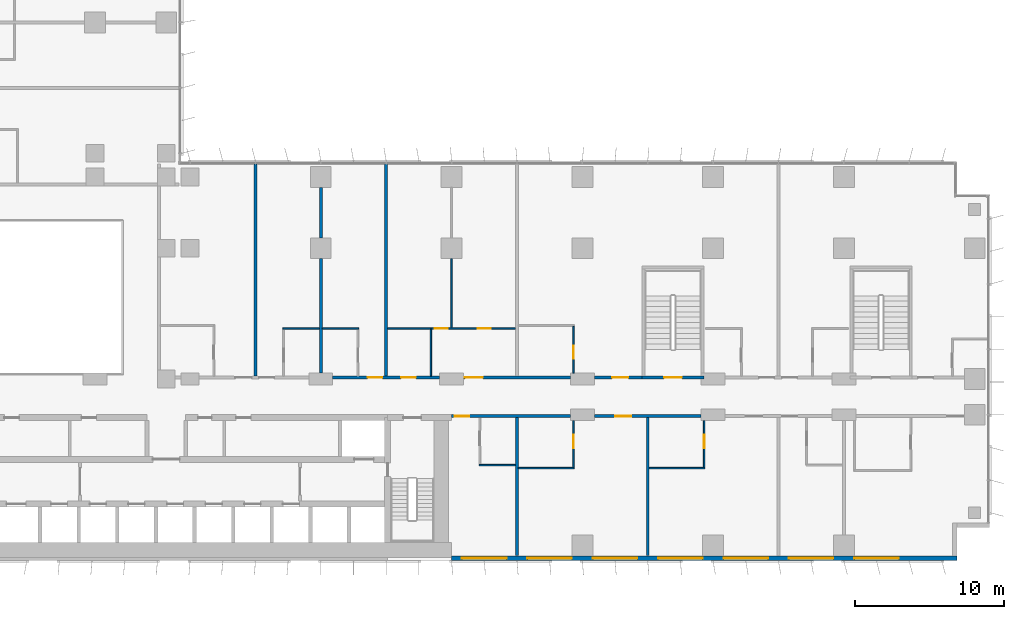
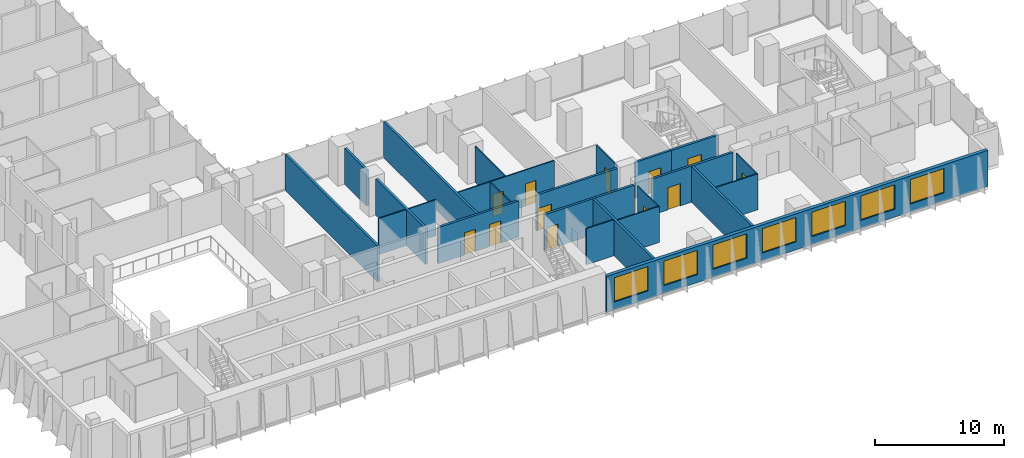
# One storey, part 14 of 24: 24 walls, 12 doors, 7 windows, 19 openings.
"""IFC4 building model written with IfcOpenShell, lengths in metres."""

from ifc_helpers import new_model, si_unit, direction, frame, frame_2d, origin, place, context, subcontext, project, spatial, rectangle, extrude, material, layer, layer_set, type_object, element, fill, save


model = new_model("IFC4")

# Units and contexts
model_context = context("Model", 3, precision=1e-05, world=origin(), true_north=direction((0.0, 1.0)))
body_context = subcontext(model_context, "Body", "Model", "MODEL_VIEW")
ifc_project = project(units=[si_unit("LENGTHUNIT", "METRE"), si_unit("AREAUNIT", "SQUARE_METRE"), si_unit("VOLUMEUNIT", "CUBIC_METRE"), si_unit("PLANEANGLEUNIT", "RADIAN"), si_unit("MASSUNIT", "GRAM", prefix="KILO")], contexts=[model_context])

# Site, building, storey
site_placement = place(None, origin())
site = spatial("IfcSite", under=ifc_project, at=site_placement, CompositionType="ELEMENT")
building_placement = place(site_placement, origin())
building = spatial("IfcBuilding", under=site, at=building_placement, Name="Kemantara Hotel Tower", CompositionType="ELEMENT")
storey_placement = place(building_placement, frame((0.0, 0.0, 59.89990234375)))
storey = spatial("IfcBuildingStorey", under=building, at=storey_placement, Name="L13", CompositionType="ELEMENT", Elevation=59.89990234375)

# Wall, openings, windows
ifc_material_1 = material(Name="Bronze anodised aluminium cladding on insulated steel stud wall", Category="steel")
ifc_layer_1 = layer(ifc_material_1, 0.300048828125)
ifc_layer_set_1 = layer_set([ifc_layer_1], Name="Bronze anodised aluminium cladding on insulated steel stud wall")
wall_type_1 = type_object("IfcWallType", Name="BRONZE METAL-CLAD EXTERNAL WALL 300", PredefinedType="STANDARD", material=ifc_layer_set_1)
wall_1_placement = place(storey_placement, frame((45.0, 0.14990234375, 0.0), z_axis=(0.0, 0.0, 1.0), x_axis=(1.0, 0.0, 0.0)))
wall_1 = element("IfcWall", 1, at=wall_1_placement, inside=storey, type_object=wall_type_1, Name="EXTERNAL WALL L13 T1-R01-3", PredefinedType="STANDARD", context=body_context, shape_type="SweptSolid", body=[
    extrude(rectangle(XDim=34.0, YDim=0.300048828125, at=frame_2d((17.0, 0.0))), origin(), (0.0, 0.0, 1.0), 3.400146484375),
])
opening_1_placement = place(wall_1_placement, frame((0.699951171875, 0.0, 0.75)))
opening_1 = element("IfcOpeningElement", 2, at=opening_1_placement, cuts=wall_1, Name="Opening W1", PredefinedType="OPENING", context=body_context, shape_type="SweptSolid", body=[
    extrude(rectangle(XDim=3.0, YDim=2.300048828125, at=frame_2d((1.5, 1.14990234375))), frame((0.0, 0.159912109375, 0.0), z_axis=(0.0, -1.0, 0.0), x_axis=(1.0, 0.0, 0.0)), (0.0, 0.0, 1.0), 0.320068359375),
])
opening_2_placement = place(wall_1_placement, frame((5.10009765625, 0.0, 0.75)))
opening_2 = element("IfcOpeningElement", 3, at=opening_2_placement, cuts=wall_1, Name="Opening W1", PredefinedType="OPENING", context=body_context, shape_type="SweptSolid", body=[
    extrude(rectangle(XDim=3.0, YDim=2.300048828125, at=frame_2d((1.5, 1.14990234375))), frame((0.0, 0.159912109375, 0.0), z_axis=(0.0, -1.0, 0.0), x_axis=(1.0, 0.0, 0.0)), (0.0, 0.0, 1.0), 0.320068359375),
])
opening_3_placement = place(wall_1_placement, frame((9.5, 0.0, 0.75)))
opening_3 = element("IfcOpeningElement", 4, at=opening_3_placement, cuts=wall_1, Name="Opening W1", PredefinedType="OPENING", context=body_context, shape_type="SweptSolid", body=[
    extrude(rectangle(XDim=3.0, YDim=2.300048828125, at=frame_2d((1.5, 1.14990234375))), frame((0.0, 0.159912109375, 0.0), z_axis=(0.0, -1.0, 0.0), x_axis=(1.0, 0.0, 0.0)), (0.0, 0.0, 1.0), 0.320068359375),
])
opening_4_placement = place(wall_1_placement, frame((13.89990234375, 0.0, 0.75)))
opening_4 = element("IfcOpeningElement", 5, at=opening_4_placement, cuts=wall_1, Name="Opening W1", PredefinedType="OPENING", context=body_context, shape_type="SweptSolid", body=[
    extrude(rectangle(XDim=3.0, YDim=2.300048828125, at=frame_2d((1.5, 1.14990234375))), frame((0.0, 0.159912109375, 0.0), z_axis=(0.0, -1.0, 0.0), x_axis=(1.0, 0.0, 0.0)), (0.0, 0.0, 1.0), 0.320068359375),
])
opening_5_placement = place(wall_1_placement, frame((18.300048828125, 0.0, 0.75)))
opening_5 = element("IfcOpeningElement", 6, at=opening_5_placement, cuts=wall_1, Name="Opening W1", PredefinedType="OPENING", context=body_context, shape_type="SweptSolid", body=[
    extrude(rectangle(XDim=3.0, YDim=2.300048828125, at=frame_2d((1.5, 1.14990234375))), frame((0.0, 0.159912109375, 0.0), z_axis=(0.0, -1.0, 0.0), x_axis=(1.0, 0.0, 0.0)), (0.0, 0.0, 1.0), 0.320068359375),
])
opening_6_placement = place(wall_1_placement, frame((22.699951171875, 0.0, 0.75)))
opening_6 = element("IfcOpeningElement", 7, at=opening_6_placement, cuts=wall_1, Name="Opening W1", PredefinedType="OPENING", context=body_context, shape_type="SweptSolid", body=[
    extrude(rectangle(XDim=3.0, YDim=2.300048828125, at=frame_2d((1.5, 1.14990234375))), frame((0.0, 0.159912109375, 0.0), z_axis=(0.0, -1.0, 0.0), x_axis=(1.0, 0.0, 0.0)), (0.0, 0.0, 1.0), 0.320068359375),
])
opening_7_placement = place(wall_1_placement, frame((27.10009765625, 0.0, 0.75)))
opening_7 = element("IfcOpeningElement", 8, at=opening_7_placement, cuts=wall_1, Name="Opening W1", PredefinedType="OPENING", context=body_context, shape_type="SweptSolid", body=[
    extrude(rectangle(XDim=3.0, YDim=2.300048828125, at=frame_2d((1.5, 1.14990234375))), frame((0.0, 0.159912109375, 0.0), z_axis=(0.0, -1.0, 0.0), x_axis=(1.0, 0.0, 0.0)), (0.0, 0.0, 1.0), 0.320068359375),
])
ifc_material_2 = material(Name="Low-E tinted double insulated glass in bronze anodised aluminium frame", Category="aluminium")
window_type = type_object("IfcWindowType", Name="CHICAGO WINDOW, TRIPLE PANEL 3000x2300", PartitioningType="TRIPLE_PANEL_VERTICAL", PredefinedType="WINDOW", material=ifc_material_2)
window_1_placement = place(opening_1_placement, origin())
window_1 = element("IfcWindow", 9, at=window_1_placement, inside=storey, type_object=window_type, Name="CHICAGO WINDOW L13 T1-R01-450", OverallHeight=2.300048828125, OverallWidth=3.0, PartitioningType="SINGLE_PANEL", PredefinedType="WINDOW", context=body_context, shape_type="SweptSolid", body=[
    extrude(rectangle(XDim=3.0, YDim=2.300048828125, at=frame_2d((1.5, 1.14990234375))), frame((0.0, 0.030029296875, 0.0), z_axis=(0.0, -1.0, 0.0), x_axis=(1.0, 0.0, 0.0)), (0.0, 0.0, 1.0), 0.06005859375),
])
fill(opening_1, window_1)
window_2_placement = place(opening_2_placement, origin())
window_2 = element("IfcWindow", 10, at=window_2_placement, inside=storey, type_object=window_type, Name="CHICAGO WINDOW L13 T1-R01-494", OverallHeight=2.300048828125, OverallWidth=3.0, PartitioningType="SINGLE_PANEL", PredefinedType="WINDOW", context=body_context, shape_type="SweptSolid", body=[
    extrude(rectangle(XDim=3.0, YDim=2.300048828125, at=frame_2d((1.5, 1.14990234375))), frame((0.0, 0.030029296875, 0.0), z_axis=(0.0, -1.0, 0.0), x_axis=(1.0, 0.0, 0.0)), (0.0, 0.0, 1.0), 0.06005859375),
])
fill(opening_2, window_2)
window_3_placement = place(opening_3_placement, origin())
window_3 = element("IfcWindow", 11, at=window_3_placement, inside=storey, type_object=window_type, Name="CHICAGO WINDOW L13 T1-R01-538", OverallHeight=2.300048828125, OverallWidth=3.0, PartitioningType="SINGLE_PANEL", PredefinedType="WINDOW", context=body_context, shape_type="SweptSolid", body=[
    extrude(rectangle(XDim=3.0, YDim=2.300048828125, at=frame_2d((1.5, 1.14990234375))), frame((0.0, 0.030029296875, 0.0), z_axis=(0.0, -1.0, 0.0), x_axis=(1.0, 0.0, 0.0)), (0.0, 0.0, 1.0), 0.06005859375),
])
fill(opening_3, window_3)
window_4_placement = place(opening_4_placement, origin())
window_4 = element("IfcWindow", 12, at=window_4_placement, inside=storey, type_object=window_type, Name="CHICAGO WINDOW L13 T1-R01-582", OverallHeight=2.300048828125, OverallWidth=3.0, PartitioningType="SINGLE_PANEL", PredefinedType="WINDOW", context=body_context, shape_type="SweptSolid", body=[
    extrude(rectangle(XDim=3.0, YDim=2.300048828125, at=frame_2d((1.5, 1.14990234375))), frame((0.0, 0.030029296875, 0.0), z_axis=(0.0, -1.0, 0.0), x_axis=(1.0, 0.0, 0.0)), (0.0, 0.0, 1.0), 0.06005859375),
])
fill(opening_4, window_4)
window_5_placement = place(opening_5_placement, origin())
window_5 = element("IfcWindow", 13, at=window_5_placement, inside=storey, type_object=window_type, Name="CHICAGO WINDOW L13 T1-R01-626", OverallHeight=2.300048828125, OverallWidth=3.0, PartitioningType="SINGLE_PANEL", PredefinedType="WINDOW", context=body_context, shape_type="SweptSolid", body=[
    extrude(rectangle(XDim=3.0, YDim=2.300048828125, at=frame_2d((1.5, 1.14990234375))), frame((0.0, 0.030029296875, 0.0), z_axis=(0.0, -1.0, 0.0), x_axis=(1.0, 0.0, 0.0)), (0.0, 0.0, 1.0), 0.06005859375),
])
fill(opening_5, window_5)
window_6_placement = place(opening_6_placement, origin())
window_6 = element("IfcWindow", 14, at=window_6_placement, inside=storey, type_object=window_type, Name="CHICAGO WINDOW L13 T1-R01-670", OverallHeight=2.300048828125, OverallWidth=3.0, PartitioningType="SINGLE_PANEL", PredefinedType="WINDOW", context=body_context, shape_type="SweptSolid", body=[
    extrude(rectangle(XDim=3.0, YDim=2.300048828125, at=frame_2d((1.5, 1.14990234375))), frame((0.0, 0.030029296875, 0.0), z_axis=(0.0, -1.0, 0.0), x_axis=(1.0, 0.0, 0.0)), (0.0, 0.0, 1.0), 0.06005859375),
])
fill(opening_6, window_6)
window_7_placement = place(opening_7_placement, origin())
window_7 = element("IfcWindow", 15, at=window_7_placement, inside=storey, type_object=window_type, Name="CHICAGO WINDOW L13 T1-R01-714", OverallHeight=2.300048828125, OverallWidth=3.0, PartitioningType="SINGLE_PANEL", PredefinedType="WINDOW", context=body_context, shape_type="SweptSolid", body=[
    extrude(rectangle(XDim=3.0, YDim=2.300048828125, at=frame_2d((1.5, 1.14990234375))), frame((0.0, 0.030029296875, 0.0), z_axis=(0.0, -1.0, 0.0), x_axis=(1.0, 0.0, 0.0)), (0.0, 0.0, 1.0), 0.06005859375),
])
fill(opening_7, window_7)

# Wall, opening, door
ifc_material_3 = material(Name="Gypsum board partition, steel studs and mineral wool, 200 mm", Category="steel")
ifc_layer_2 = layer(ifc_material_3, 0.199951171875)
ifc_layer_set_2 = layer_set([ifc_layer_2], Name="Gypsum board partition, steel studs and mineral wool, 200 mm")
wall_type_2 = type_object("IfcWallType", Name="CORRIDOR WALL 200", PredefinedType="PARTITIONING", material=ifc_layer_set_2)
wall_2_placement = place(storey_placement, frame((53.0, 9.699951171875, 0.0), z_axis=(0.0, 0.0, 1.0), x_axis=(-1.0, 0.0, 0.0)))
wall_2 = element("IfcWall", 16, at=wall_2_placement, inside=storey, type_object=wall_type_2, Name="CORRIDOR WALL 200 001", PredefinedType="PARTITIONING", context=body_context, shape_type="SweptSolid", body=[
    extrude(rectangle(XDim=8.0, YDim=0.199951171875, at=frame_2d((4.0, 0.0))), origin(), (0.0, 0.0, 1.0), 3.400146484375),
])
opening_8_placement = place(wall_2_placement, frame((6.7998046875, 0.0, 0.0)))
opening_8 = element("IfcOpeningElement", 17, at=opening_8_placement, cuts=wall_2, Name="Opening F04-001", PredefinedType="OPENING", context=body_context, shape_type="SweptSolid", body=[
    extrude(rectangle(XDim=1.0, YDim=2.10009765625, at=frame_2d((0.5, 1.050048828125))), frame((0.0, 0.10986328125, 0.0), z_axis=(0.0, -1.0, 0.0), x_axis=(1.0, 0.0, 0.0)), (0.0, 0.0, 1.0), 0.219970703125),
])
ifc_material_4 = material(Name="Hardwood veneer door leaf with steel frame", Category="steel")
door_type_1 = type_object("IfcDoorType", Name="GUEST ROOM DOOR 1000 X 2100 FD30S", OperationType="NOTDEFINED", PredefinedType="DOOR", material=ifc_material_4)
door_1_placement = place(opening_8_placement, origin())
door_1 = element("IfcDoor", 18, at=door_1_placement, inside=storey, type_object=door_type_1, Name="GUEST ROOM DOOR F04-001", OperationType="SINGLE_SWING_RIGHT", OverallHeight=2.10009765625, OverallWidth=1.0, PredefinedType="DOOR", context=body_context, shape_type="SweptSolid", body=[
    extrude(rectangle(XDim=1.0, YDim=2.10009765625, at=frame_2d((0.5, 1.050048828125))), frame((0.0, 0.02490234375, 0.0), z_axis=(0.0, -1.0, 0.0), x_axis=(1.0, 0.0, 0.0)), (0.0, 0.0, 1.0), 0.050048828125),
])
fill(opening_8, door_1)

wall_3_placement = place(storey_placement, frame((61.7998046875, 9.699951171875, 0.0), z_axis=(0.0, 0.0, 1.0), x_axis=(-1.0, 0.0, 0.0)))
wall_3 = element("IfcWall", 19, at=wall_3_placement, inside=storey, type_object=wall_type_2, Name="CORRIDOR WALL 200 002", PredefinedType="PARTITIONING", context=body_context, shape_type="SweptSolid", body=[
    extrude(rectangle(XDim=7.19970703125, YDim=0.199951171875, at=frame_2d((3.599853515625, 0.0))), origin(), (0.0, 0.0, 1.0), 3.400146484375),
])
opening_9_placement = place(wall_3_placement, frame((4.699951171875, 0.0, 0.0)))
opening_9 = element("IfcOpeningElement", 20, at=opening_9_placement, cuts=wall_3, Name="Opening F04-003", PredefinedType="OPENING", context=body_context, shape_type="SweptSolid", body=[
    extrude(rectangle(XDim=1.10009765625, YDim=2.10009765625, at=frame_2d((0.550048828125, 1.050048828125))), frame((0.0, 0.10986328125, 0.0), z_axis=(0.0, -1.0, 0.0), x_axis=(1.0, 0.0, 0.0)), (0.0, 0.0, 1.0), 0.219970703125),
])
door_type_2 = type_object("IfcDoorType", Name="SUITE ENTRANCE DOOR 1100 X 2100 FD30S", OperationType="NOTDEFINED", PredefinedType="DOOR", material=ifc_material_4)
door_2_placement = place(opening_9_placement, origin())
door_2 = element("IfcDoor", 21, at=door_2_placement, inside=storey, type_object=door_type_2, Name="SUITE ENTRANCE DOOR F04-003", OperationType="SINGLE_SWING_LEFT", OverallHeight=2.10009765625, OverallWidth=1.10009765625, PredefinedType="DOOR", context=body_context, shape_type="SweptSolid", body=[
    extrude(rectangle(XDim=1.10009765625, YDim=2.10009765625, at=frame_2d((0.550048828125, 1.050048828125))), frame((0.0, 0.02490234375, 0.0), z_axis=(0.0, -1.0, 0.0), x_axis=(1.0, 0.0, 0.0)), (0.0, 0.0, 1.0), 0.050048828125),
])
fill(opening_9, door_2)

# Wall, openings, doors
wall_4_placement = place(storey_placement, frame((37.0, 12.300048828125, 0.0), z_axis=(0.0, 0.0, 1.0), x_axis=(1.0, 0.0, 0.0)))
wall_4 = element("IfcWall", 22, at=wall_4_placement, inside=storey, type_object=wall_type_2, Name="CORRIDOR WALL 200 013", PredefinedType="PARTITIONING", context=body_context, shape_type="SweptSolid", body=[
    extrude(rectangle(XDim=7.199951171875, YDim=0.199951171875, at=frame_2d((3.60009765625, 0.0))), origin(), (0.0, 0.0, 1.0), 3.400146484375),
])
opening_10_placement = place(wall_4_placement, frame((2.349853515625, 0.0, 0.0)))
opening_10 = element("IfcOpeningElement", 23, at=opening_10_placement, cuts=wall_4, Name="Opening F04-015", PredefinedType="OPENING", context=body_context, shape_type="SweptSolid", body=[
    extrude(rectangle(XDim=1.0, YDim=2.10009765625, at=frame_2d((0.5, 1.050048828125))), frame((0.0, 0.10986328125, 0.0), z_axis=(0.0, -1.0, 0.0), x_axis=(1.0, 0.0, 0.0)), (0.0, 0.0, 1.0), 0.219970703125),
])
opening_11_placement = place(wall_4_placement, frame((4.599853515625, 0.0, 0.0)))
opening_11 = element("IfcOpeningElement", 24, at=opening_11_placement, cuts=wall_4, Name="Opening F04-017", PredefinedType="OPENING", context=body_context, shape_type="SweptSolid", body=[
    extrude(rectangle(XDim=1.0, YDim=2.10009765625, at=frame_2d((0.5, 1.050048828125))), frame((0.0, 0.10986328125, 0.0), z_axis=(0.0, -1.0, 0.0), x_axis=(1.0, 0.0, 0.0)), (0.0, 0.0, 1.0), 0.219970703125),
])
door_3_placement = place(opening_10_placement, origin())
door_3 = element("IfcDoor", 25, at=door_3_placement, inside=storey, type_object=door_type_1, Name="GUEST ROOM DOOR F04-015", OperationType="SINGLE_SWING_RIGHT", OverallHeight=2.10009765625, OverallWidth=1.0, PredefinedType="DOOR", context=body_context, shape_type="SweptSolid", body=[
    extrude(rectangle(XDim=1.0, YDim=2.10009765625, at=frame_2d((0.5, 1.050048828125))), frame((0.0, 0.02490234375, 0.0), z_axis=(0.0, -1.0, 0.0), x_axis=(1.0, 0.0, 0.0)), (0.0, 0.0, 1.0), 0.050048828125),
])
fill(opening_10, door_3)
ifc_material_5 = material(Name="Steel door leaf with steel frame", Category="steel")
door_type_3 = type_object("IfcDoorType", Name="SERVICE ROOM DOOR 1000 X 2100 FD60", OperationType="NOTDEFINED", PredefinedType="DOOR", material=ifc_material_5)
door_4_placement = place(opening_11_placement, origin())
door_4 = element("IfcDoor", 26, at=door_4_placement, inside=storey, type_object=door_type_3, Name="SERVICE ROOM DOOR F04-017", OperationType="SINGLE_SWING_LEFT", OverallHeight=2.10009765625, OverallWidth=1.0, PredefinedType="DOOR", context=body_context, shape_type="SweptSolid", body=[
    extrude(rectangle(XDim=1.0, YDim=2.10009765625, at=frame_2d((0.5, 1.050048828125))), frame((0.0, 0.02490234375, 0.0), z_axis=(0.0, -1.0, 0.0), x_axis=(1.0, 0.0, 0.0)), (0.0, 0.0, 1.0), 0.050048828125),
])
fill(opening_11, door_4)

# Wall, opening, door
wall_5_placement = place(storey_placement, frame((45.800048828125, 12.300048828125, 0.0), z_axis=(0.0, 0.0, 1.0), x_axis=(1.0, 0.0, 0.0)))
wall_5 = element("IfcWall", 27, at=wall_5_placement, inside=storey, type_object=wall_type_2, Name="CORRIDOR WALL 200 014", PredefinedType="PARTITIONING", context=body_context, shape_type="SweptSolid", body=[
    extrude(rectangle(XDim=7.199951171875, YDim=0.199951171875, at=frame_2d((3.60009765625, 0.0))), origin(), (0.0, 0.0, 1.0), 3.400146484375),
])
opening_12_placement = place(wall_5_placement, frame((0.099853515625, 0.0, 0.0)))
opening_12 = element("IfcOpeningElement", 28, at=opening_12_placement, cuts=wall_5, Name="Opening F04-018", PredefinedType="OPENING", context=body_context, shape_type="SweptSolid", body=[
    extrude(rectangle(XDim=1.199951171875, YDim=2.10009765625, at=frame_2d((0.60009765625, 1.050048828125))), frame((0.0, 0.10986328125, 0.0), z_axis=(0.0, -1.0, 0.0), x_axis=(1.0, 0.0, 0.0)), (0.0, 0.0, 1.0), 0.219970703125),
])
door_type_4 = type_object("IfcDoorType", Name="GUEST ROOM DOOR 1200 X 2100 FD30S", OperationType="NOTDEFINED", PredefinedType="DOOR", material=ifc_material_4)
door_5_placement = place(opening_12_placement, origin())
door_5 = element("IfcDoor", 29, at=door_5_placement, inside=storey, type_object=door_type_4, Name="GUEST ROOM DOOR F04-018", OperationType="SINGLE_SWING_RIGHT", OverallHeight=2.10009765625, OverallWidth=1.199951171875, PredefinedType="DOOR", context=body_context, shape_type="SweptSolid", body=[
    extrude(rectangle(XDim=1.199951171875, YDim=2.10009765625, at=frame_2d((0.60009765625, 1.050048828125))), frame((0.0, 0.02490234375, 0.0), z_axis=(0.0, -1.0, 0.0), x_axis=(1.0, 0.0, 0.0)), (0.0, 0.0, 1.0), 0.050048828125),
])
fill(opening_12, door_5)

wall_6_placement = place(storey_placement, frame((54.60009765625, 12.300048828125, 0.0), z_axis=(0.0, 0.0, 1.0), x_axis=(1.0, 0.0, 0.0)))
wall_6 = element("IfcWall", 30, at=wall_6_placement, inside=storey, type_object=wall_type_2, Name="CORRIDOR WALL 200 015", PredefinedType="PARTITIONING", context=body_context, shape_type="SweptSolid", body=[
    extrude(rectangle(XDim=3.199951171875, YDim=0.199951171875, at=frame_2d((1.60009765625, 0.0))), origin(), (0.0, 0.0, 1.0), 3.400146484375),
])
opening_13_placement = place(wall_6_placement, frame((1.199951171875, 0.0, 0.0)))
opening_13 = element("IfcOpeningElement", 31, at=opening_13_placement, cuts=wall_6, Name="Opening F04-021", PredefinedType="OPENING", context=body_context, shape_type="SweptSolid", body=[
    extrude(rectangle(XDim=1.10009765625, YDim=2.10009765625, at=frame_2d((0.550048828125, 1.050048828125))), frame((0.0, 0.10986328125, 0.0), z_axis=(0.0, -1.0, 0.0), x_axis=(1.0, 0.0, 0.0)), (0.0, 0.0, 1.0), 0.219970703125),
])
door_6_placement = place(opening_13_placement, origin())
door_6 = element("IfcDoor", 32, at=door_6_placement, inside=storey, type_object=door_type_2, Name="SUITE ENTRANCE DOOR F04-021", OperationType="SINGLE_SWING_RIGHT", OverallHeight=2.10009765625, OverallWidth=1.10009765625, PredefinedType="DOOR", context=body_context, shape_type="SweptSolid", body=[
    extrude(rectangle(XDim=1.10009765625, YDim=2.10009765625, at=frame_2d((0.550048828125, 1.050048828125))), frame((0.0, 0.02490234375, 0.0), z_axis=(0.0, -1.0, 0.0), x_axis=(1.0, 0.0, 0.0)), (0.0, 0.0, 1.0), 0.050048828125),
])
fill(opening_13, door_6)

ifc_material_6 = material(Name="Concrete fc 40 MPa", Category="concrete")
ifc_layer_3 = layer(ifc_material_6, 0.199951171875)
ifc_layer_set_3 = layer_set([ifc_layer_3], Name="Concrete fc 40 MPa")
wall_type_3 = type_object("IfcWallType", Name="Concrete stair wall 200 mm", PredefinedType="SHEAR", material=ifc_layer_set_3)
wall_7_placement = place(storey_placement, frame((57.800048828125, 12.300048828125, 0.0), z_axis=(0.0, 0.0, 1.0), x_axis=(1.0, 0.0, 0.0)))
wall_7 = element("IfcWall", 33, at=wall_7_placement, inside=storey, type_object=wall_type_3, Name="Stair ST3 enclosure wall with door", PredefinedType="SHEAR", context=body_context, shape_type="SweptSolid", body=[
    extrude(rectangle(XDim=4.199951171875, YDim=0.199951171875, at=frame_2d((2.10009765625, 0.0))), origin(), (0.0, 0.0, 1.0), 3.400146484375),
])
opening_14_placement = place(wall_7_placement, frame((1.5, 0.0, 0.0)))
opening_14 = element("IfcOpeningElement", 34, at=opening_14_placement, cuts=wall_7, Name="Opening ST3-C", PredefinedType="OPENING", context=body_context, shape_type="SweptSolid", body=[
    extrude(rectangle(XDim=1.199951171875, YDim=2.10009765625, at=frame_2d((0.60009765625, 1.050048828125))), frame((0.0, 0.10986328125, 0.0), z_axis=(0.0, -1.0, 0.0), x_axis=(1.0, 0.0, 0.0)), (0.0, 0.0, 1.0), 0.219970703125),
])
ifc_material_7 = material(Name="Steel fire door", Category="steel")
door_type_5 = type_object("IfcDoorType", Name="Fire door FD90 1200 x 2100", OperationType="NOTDEFINED", PredefinedType="DOOR", material=ifc_material_7)
door_7_placement = place(opening_14_placement, origin())
door_7 = element("IfcDoor", 35, at=door_7_placement, inside=storey, type_object=door_type_5, Name="Stair ST3 door", OperationType="SINGLE_SWING_RIGHT", OverallHeight=2.10009765625, OverallWidth=1.199951171875, PredefinedType="DOOR", context=body_context, shape_type="SweptSolid", body=[
    extrude(rectangle(XDim=1.199951171875, YDim=2.10009765625, at=frame_2d((0.60009765625, 1.050048828125))), frame((0.0, 0.02490234375, 0.0), z_axis=(0.0, -1.0, 0.0), x_axis=(1.0, 0.0, 0.0)), (0.0, 0.0, 1.0), 0.050048828125),
])
fill(opening_14, door_7)

# Walls
ifc_layer_4 = layer(ifc_material_3, 0.199951171875)
ifc_layer_set_4 = layer_set([ifc_layer_4], Name="Gypsum board partition, steel studs and mineral wool, 200 mm")
wall_type_4 = type_object("IfcWallType", Name="GUEST ROOM PARTY WALL 200", PredefinedType="PARTITIONING", material=ifc_layer_set_4)
for number, where, z_axis, x_axis, name in (
    (36, (49.39990234375, 0.31005859375, 0.0), (0.0, 0.0, 1.0), (0.0, 1.0, 0.0), "GUEST ROOM PARTY WALL 200 005"),
    (37, (58.199951171875, 0.31005859375, 0.0), (0.0, 0.0, 1.0), (0.0, 1.0, 0.0), "GUEST ROOM PARTY WALL 200 007"),
):
    element("IfcWall", number, at=place(storey_placement, frame(where, z_axis=z_axis, x_axis=x_axis)), inside=storey, type_object=wall_type_4, Name=name, PredefinedType="PARTITIONING", context=body_context, shape_type="SweptSolid", body=[
        extrude(rectangle(XDim=9.2900390625, YDim=0.199951171875, at=frame_2d((4.64501953125, 0.0))), origin(), (0.0, 0.0, 1.0), 3.400146484375),
    ])
wall_8_placement = place(storey_placement, frame((31.800048828125, 12.39990234375, 0.0), z_axis=(0.0, 0.0, 1.0), x_axis=(0.0, 1.0, 0.0)))
element("IfcWall", 38, at=wall_8_placement, inside=storey, type_object=wall_type_4, Name="GUEST ROOM PARTY WALL 200 021", PredefinedType="PARTITIONING", context=body_context, shape_type="SweptSolid", body=[
    extrude(rectangle(XDim=14.27001953125, YDim=0.199951171875, at=frame_2d((7.135009765625, 0.0))), origin(), (0.0, 0.0, 1.0), 3.400146484375),
])
wall_9_placement = place(storey_placement, frame((36.199951171875, 12.60009765625, 0.0), z_axis=(0.0, 0.0, 1.0), x_axis=(0.0, 1.0, 0.0)))
element("IfcWall", 39, at=wall_9_placement, inside=storey, type_object=wall_type_4, Name="GUEST ROOM PARTY WALL 200 022", PredefinedType="PARTITIONING", context=body_context, shape_type="SweptSolid", body=[
    extrude(rectangle(XDim=7.69970703125, YDim=0.199951171875, at=frame_2d((3.849853515625, 0.0))), origin(), (0.0, 0.0, 1.0), 3.400146484375),
])
wall_10_placement = place(storey_placement, frame((36.199951171875, 21.7001953125, 0.0), z_axis=(0.0, 0.0, 1.0), x_axis=(0.0, 1.0, 0.0)))
element("IfcWall", 40, at=wall_10_placement, inside=storey, type_object=wall_type_4, Name="GUEST ROOM PARTY WALL 200 023", PredefinedType="PARTITIONING", context=body_context, shape_type="SweptSolid", body=[
    extrude(rectangle(XDim=3.399658203125, YDim=0.199951171875, at=frame_2d((1.69970703125, 0.0))), origin(), (0.0, 0.0, 1.0), 3.400146484375),
])
wall_11_placement = place(storey_placement, frame((40.60009765625, 12.39990234375, 0.0), z_axis=(0.0, 0.0, 1.0), x_axis=(0.0, 1.0, 0.0)))
element("IfcWall", 41, at=wall_11_placement, inside=storey, type_object=wall_type_4, Name="GUEST ROOM PARTY WALL 200 024", PredefinedType="PARTITIONING", context=body_context, shape_type="SweptSolid", body=[
    extrude(rectangle(XDim=14.27001953125, YDim=0.199951171875, at=frame_2d((7.135009765625, 0.0))), origin(), (0.0, 0.0, 1.0), 3.400146484375),
])
ifc_material_8 = material(Name="Gypsum board partition on steel studs, 100 mm", Category="steel")
ifc_layer_5 = layer(ifc_material_8, 0.10009765625)
ifc_layer_set_5 = layer_set([ifc_layer_5], Name="Gypsum board partition on steel studs, 100 mm")
wall_type_5 = type_object("IfcWallType", Name="ROOM PARTITION 100", PredefinedType="PARTITIONING", material=ifc_layer_set_5)
wall_12_placement = place(storey_placement, frame((46.85009765625, 6.39990234375, 0.0), z_axis=(0.0, 0.0, 1.0), x_axis=(1.0, 0.0, 0.0)))
element("IfcWall", 42, at=wall_12_placement, inside=storey, type_object=wall_type_5, Name="ROOM PARTITION 100 065", PredefinedType="PARTITIONING", context=body_context, shape_type="SweptSolid", body=[
    extrude(rectangle(XDim=2.449951171875, YDim=0.10009765625, at=frame_2d((1.22509765625, 0.0))), origin(), (0.0, 0.0, 1.0), 3.400146484375),
])
for number, where, z_axis, x_axis, name in (
    (43, (49.5, 6.199951171875, 0.0), (0.0, 0.0, 1.0), (1.0, 0.0, 0.0), "ROOM PARTITION 100 068"),
    (44, (58.300048828125, 6.199951171875, 0.0), (0.0, 0.0, 1.0), (1.0, 0.0, 0.0), "ROOM PARTITION 100 069"),
):
    element("IfcWall", number, at=place(storey_placement, frame(where, z_axis=z_axis, x_axis=x_axis)), inside=storey, type_object=wall_type_5, Name=name, PredefinedType="PARTITIONING", context=body_context, shape_type="SweptSolid", body=[
        extrude(rectangle(XDim=3.75, YDim=0.10009765625, at=frame_2d((1.875, 0.0))), origin(), (0.0, 0.0, 1.0), 3.400146484375),
    ])

# Wall, opening, door
wall_13_placement = place(storey_placement, frame((53.199951171875, 6.25, 0.0), z_axis=(0.0, 0.0, 1.0), x_axis=(0.0, 1.0, 0.0)))
wall_13 = element("IfcWall", 45, at=wall_13_placement, inside=storey, type_object=wall_type_5, Name="ROOM PARTITION 100 070", PredefinedType="PARTITIONING", context=body_context, shape_type="SweptSolid", body=[
    extrude(rectangle(XDim=3.14990234375, YDim=0.10009765625, at=frame_2d((1.574951171875, 0.0))), origin(), (0.0, 0.0, 1.0), 3.400146484375),
])
opening_15_placement = place(wall_13_placement, frame((1.300048828125, 0.0, 0.0)))
opening_15 = element("IfcOpeningElement", 46, at=opening_15_placement, cuts=wall_13, Name="Opening F04-004", PredefinedType="OPENING", context=body_context, shape_type="SweptSolid", body=[
    extrude(rectangle(XDim=0.89990234375, YDim=2.10009765625, at=frame_2d((0.449951171875, 1.050048828125))), frame((0.0, 0.06005859375, 0.0), z_axis=(0.0, -1.0, 0.0), x_axis=(1.0, 0.0, 0.0)), (0.0, 0.0, 1.0), 0.1201171875),
])
door_type_6 = type_object("IfcDoorType", Name="BATHROOM DOOR 900 X 2100", OperationType="NOTDEFINED", PredefinedType="DOOR", material=ifc_material_4)
door_8_placement = place(opening_15_placement, origin())
door_8 = element("IfcDoor", 47, at=door_8_placement, inside=storey, type_object=door_type_6, Name="BATHROOM DOOR F04-004", OperationType="SINGLE_SWING_RIGHT", OverallHeight=2.10009765625, OverallWidth=0.89990234375, PredefinedType="DOOR", context=body_context, shape_type="SweptSolid", body=[
    extrude(rectangle(XDim=0.89990234375, YDim=2.10009765625, at=frame_2d((0.449951171875, 1.050048828125))), frame((0.0, 0.02490234375, 0.0), z_axis=(0.0, -1.0, 0.0), x_axis=(1.0, 0.0, 0.0)), (0.0, 0.0, 1.0), 0.050048828125),
])
fill(opening_15, door_8)

wall_14_placement = place(storey_placement, frame((53.199951171875, 12.60009765625, 0.0), z_axis=(0.0, 0.0, 1.0), x_axis=(0.0, 1.0, 0.0)))
wall_14 = element("IfcWall", 48, at=wall_14_placement, inside=storey, type_object=wall_type_5, Name="ROOM PARTITION 100 071", PredefinedType="PARTITIONING", context=body_context, shape_type="SweptSolid", body=[
    extrude(rectangle(XDim=3.14990234375, YDim=0.10009765625, at=frame_2d((1.574951171875, 0.0))), origin(), (0.0, 0.0, 1.0), 3.400146484375),
])
opening_16_placement = place(wall_14_placement, frame((0.949951171875, 0.0, 0.0)))
opening_16 = element("IfcOpeningElement", 49, at=opening_16_placement, cuts=wall_14, Name="Opening F04-022", PredefinedType="OPENING", context=body_context, shape_type="SweptSolid", body=[
    extrude(rectangle(XDim=0.89990234375, YDim=2.10009765625, at=frame_2d((0.449951171875, 1.050048828125))), frame((0.0, 0.06005859375, 0.0), z_axis=(0.0, -1.0, 0.0), x_axis=(1.0, 0.0, 0.0)), (0.0, 0.0, 1.0), 0.1201171875),
])
door_9_placement = place(opening_16_placement, origin())
door_9 = element("IfcDoor", 50, at=door_9_placement, inside=storey, type_object=door_type_6, Name="BATHROOM DOOR F04-022", OperationType="SINGLE_SWING_LEFT", OverallHeight=2.10009765625, OverallWidth=0.89990234375, PredefinedType="DOOR", context=body_context, shape_type="SweptSolid", body=[
    extrude(rectangle(XDim=0.89990234375, YDim=2.10009765625, at=frame_2d((0.449951171875, 1.050048828125))), frame((0.0, 0.02490234375, 0.0), z_axis=(0.0, -1.0, 0.0), x_axis=(1.0, 0.0, 0.0)), (0.0, 0.0, 1.0), 0.050048828125),
])
fill(opening_16, door_9)

wall_15_placement = place(storey_placement, frame((62.0, 6.25, 0.0), z_axis=(0.0, 0.0, 1.0), x_axis=(0.0, 1.0, 0.0)))
wall_15 = element("IfcWall", 51, at=wall_15_placement, inside=storey, type_object=wall_type_5, Name="ROOM PARTITION 100 072", PredefinedType="PARTITIONING", context=body_context, shape_type="SweptSolid", body=[
    extrude(rectangle(XDim=3.14990234375, YDim=0.10009765625, at=frame_2d((1.574951171875, 0.0))), origin(), (0.0, 0.0, 1.0), 3.400146484375),
])
opening_17_placement = place(wall_15_placement, frame((1.300048828125, 0.0, 0.0)))
opening_17 = element("IfcOpeningElement", 52, at=opening_17_placement, cuts=wall_15, Name="Opening F04-006", PredefinedType="OPENING", context=body_context, shape_type="SweptSolid", body=[
    extrude(rectangle(XDim=0.89990234375, YDim=2.10009765625, at=frame_2d((0.449951171875, 1.050048828125))), frame((0.0, 0.06005859375, 0.0), z_axis=(0.0, -1.0, 0.0), x_axis=(1.0, 0.0, 0.0)), (0.0, 0.0, 1.0), 0.1201171875),
])
door_10_placement = place(opening_17_placement, origin())
door_10 = element("IfcDoor", 53, at=door_10_placement, inside=storey, type_object=door_type_6, Name="BATHROOM DOOR F04-006", OperationType="SINGLE_SWING_RIGHT", OverallHeight=2.10009765625, OverallWidth=0.89990234375, PredefinedType="DOOR", context=body_context, shape_type="SweptSolid", body=[
    extrude(rectangle(XDim=0.89990234375, YDim=2.10009765625, at=frame_2d((0.449951171875, 1.050048828125))), frame((0.0, 0.02490234375, 0.0), z_axis=(0.0, -1.0, 0.0), x_axis=(1.0, 0.0, 0.0)), (0.0, 0.0, 1.0), 0.050048828125),
])
fill(opening_17, door_10)

# Walls
wall_16_placement = place(storey_placement, frame((33.64990234375, 15.60009765625, 0.0), z_axis=(0.0, 0.0, 1.0), x_axis=(1.0, 0.0, 0.0)))
element("IfcWall", 54, at=wall_16_placement, inside=storey, type_object=wall_type_5, Name="ROOM PARTITION 100 080", PredefinedType="PARTITIONING", context=body_context, shape_type="SweptSolid", body=[
    extrude(rectangle(XDim=2.4501953125, YDim=0.10009765625, at=frame_2d((1.22509765625, 0.0))), origin(), (0.0, 0.0, 1.0), 3.400146484375),
])
wall_17_placement = place(storey_placement, frame((36.300048828125, 15.60009765625, 0.0), z_axis=(0.0, 0.0, 1.0), x_axis=(1.0, 0.0, 0.0)))
element("IfcWall", 55, at=wall_17_placement, inside=storey, type_object=wall_type_5, Name="ROOM PARTITION 100 081", PredefinedType="PARTITIONING", context=body_context, shape_type="SweptSolid", body=[
    extrude(rectangle(XDim=2.449951171875, YDim=0.10009765625, at=frame_2d((1.22509765625, 0.0))), origin(), (0.0, 0.0, 1.0), 3.400146484375),
])

# Wall, openings, doors
wall_18_placement = place(storey_placement, frame((40.699951171875, 15.60009765625, 0.0), z_axis=(0.0, 0.0, 1.0), x_axis=(1.0, 0.0, 0.0)))
wall_18 = element("IfcWall", 56, at=wall_18_placement, inside=storey, type_object=wall_type_5, Name="ROOM PARTITION 100 082", PredefinedType="PARTITIONING", context=body_context, shape_type="SweptSolid", body=[
    extrude(rectangle(XDim=8.60009765625, YDim=0.10009765625, at=frame_2d((4.300048828125, 0.0))), origin(), (0.0, 0.0, 1.0), 3.400146484375),
])
opening_18_placement = place(wall_18_placement, frame((3.14990234375, 0.0, 0.0)))
opening_18 = element("IfcOpeningElement", 57, at=opening_18_placement, cuts=wall_18, Name="Opening F04-019", PredefinedType="OPENING", context=body_context, shape_type="SweptSolid", body=[
    extrude(rectangle(XDim=0.89990234375, YDim=2.10009765625, at=frame_2d((0.449951171875, 1.050048828125))), frame((0.0, 0.06005859375, 0.0), z_axis=(0.0, -1.0, 0.0), x_axis=(1.0, 0.0, 0.0)), (0.0, 0.0, 1.0), 0.1201171875),
])
opening_19_placement = place(wall_18_placement, frame((6.050048828125, 0.0, 0.0)))
opening_19 = element("IfcOpeningElement", 58, at=opening_19_placement, cuts=wall_18, Name="Opening F04-020", PredefinedType="OPENING", context=body_context, shape_type="SweptSolid", body=[
    extrude(rectangle(XDim=0.89990234375, YDim=2.10009765625, at=frame_2d((0.449951171875, 1.050048828125))), frame((0.0, 0.06005859375, 0.0), z_axis=(0.0, -1.0, 0.0), x_axis=(1.0, 0.0, 0.0)), (0.0, 0.0, 1.0), 0.1201171875),
])
door_type_7 = type_object("IfcDoorType", Name="INTERNAL DOOR 900 X 2100", OperationType="NOTDEFINED", PredefinedType="DOOR", material=ifc_material_4)
door_11_placement = place(opening_18_placement, origin())
door_11 = element("IfcDoor", 59, at=door_11_placement, inside=storey, type_object=door_type_7, Name="INTERNAL DOOR F04-019", OperationType="SINGLE_SWING_LEFT", OverallHeight=2.10009765625, OverallWidth=0.89990234375, PredefinedType="DOOR", context=body_context, shape_type="SweptSolid", body=[
    extrude(rectangle(XDim=0.89990234375, YDim=2.10009765625, at=frame_2d((0.449951171875, 1.050048828125))), frame((0.0, 0.02490234375, 0.0), z_axis=(0.0, -1.0, 0.0), x_axis=(1.0, 0.0, 0.0)), (0.0, 0.0, 1.0), 0.050048828125),
])
fill(opening_18, door_11)
door_12_placement = place(opening_19_placement, origin())
door_12 = element("IfcDoor", 60, at=door_12_placement, inside=storey, type_object=door_type_7, Name="INTERNAL DOOR F04-020", OperationType="SINGLE_SWING_LEFT", OverallHeight=2.10009765625, OverallWidth=0.89990234375, PredefinedType="DOOR", context=body_context, shape_type="SweptSolid", body=[
    extrude(rectangle(XDim=0.89990234375, YDim=2.10009765625, at=frame_2d((0.449951171875, 1.050048828125))), frame((0.0, 0.02490234375, 0.0), z_axis=(0.0, -1.0, 0.0), x_axis=(1.0, 0.0, 0.0)), (0.0, 0.0, 1.0), 0.050048828125),
])
fill(opening_19, door_12)

# Walls
wall_19_placement = place(storey_placement, frame((43.60009765625, 12.39990234375, 0.0), z_axis=(0.0, 0.0, 1.0), x_axis=(0.0, 1.0, 0.0)))
element("IfcWall", 61, at=wall_19_placement, inside=storey, type_object=wall_type_5, Name="ROOM PARTITION 100 087", PredefinedType="PARTITIONING", context=body_context, shape_type="SweptSolid", body=[
    extrude(rectangle(XDim=3.150146484375, YDim=0.10009765625, at=frame_2d((1.5751953125, 0.0))), origin(), (0.0, 0.0, 1.0), 3.400146484375),
])
wall_20_placement = place(storey_placement, frame((45.0, 15.64990234375, 0.0), z_axis=(0.0, 0.0, 1.0), x_axis=(0.0, 1.0, 0.0)))
element("IfcWall", 62, at=wall_20_placement, inside=storey, type_object=wall_type_5, Name="ROOM PARTITION 100 088", PredefinedType="PARTITIONING", context=body_context, shape_type="SweptSolid", body=[
    extrude(rectangle(XDim=4.64990234375, YDim=0.10009765625, at=frame_2d((2.324951171875, 0.0))), origin(), (0.0, 0.0, 1.0), 3.400146484375),
])

save(model, "model.ifc")
